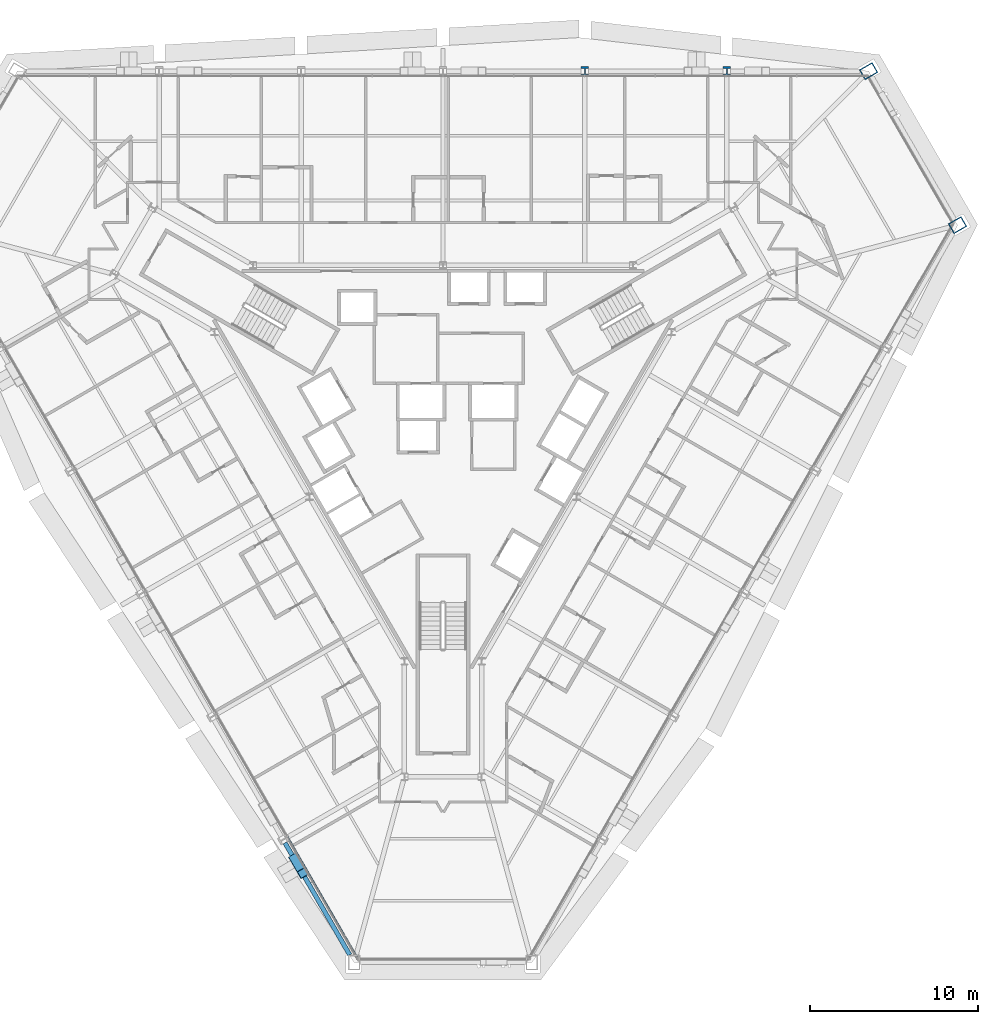
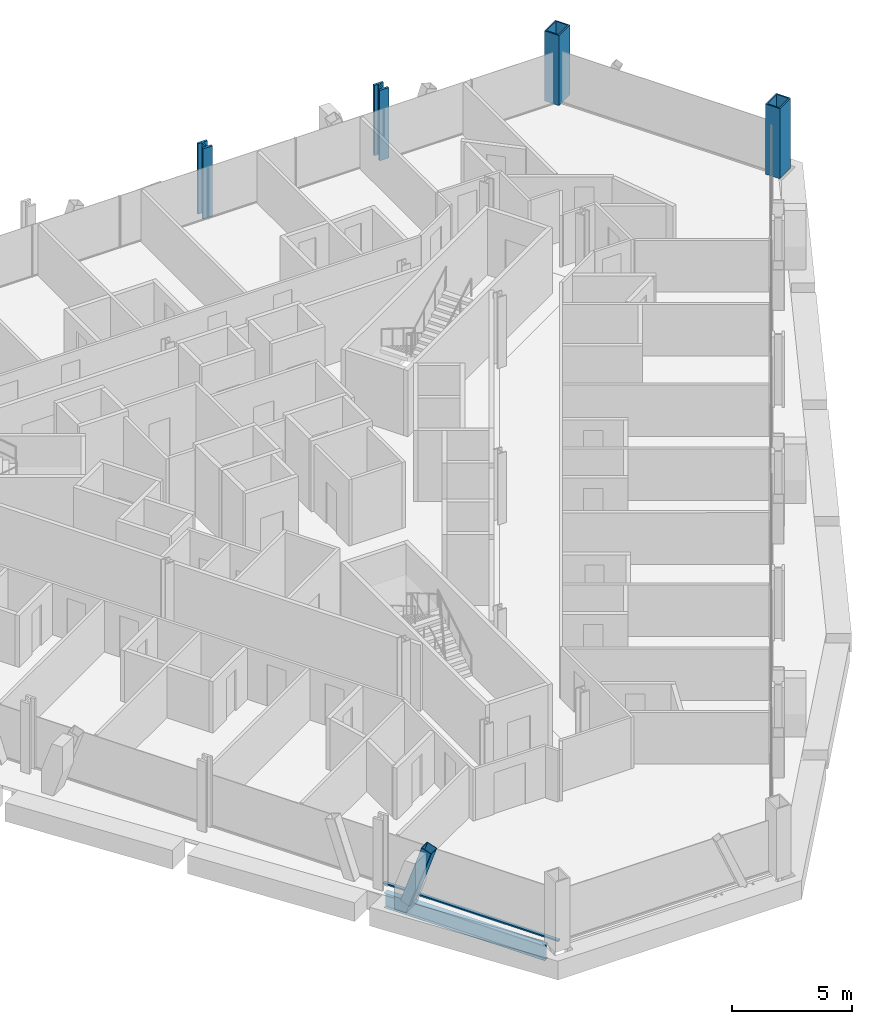
# One storey, part 2 of 17: 4 columns, 2 members, 1 beam, 1 element without a shape of its own.
"""IFC4 building model written with IfcOpenShell, lengths in metres."""

from ifc_helpers import new_model, si_unit, direction, frame, origin, origin_2d, place, context, subcontext, project, spatial, rectangle, hollow_rectangle, i_section, extrude, material, material_profile, profile_set, type_object, element, aggregate, save


model = new_model("IFC4")

# Units and contexts
model_context = context("Model", 3, precision=1e-05, world=origin(), true_north=direction((0.0, 1.0)))
body_context = subcontext(model_context, "Body", "Model", "MODEL_VIEW")
ifc_project = project(units=[si_unit("LENGTHUNIT", "METRE"), si_unit("AREAUNIT", "SQUARE_METRE"), si_unit("VOLUMEUNIT", "CUBIC_METRE"), si_unit("PLANEANGLEUNIT", "RADIAN"), si_unit("MASSUNIT", "GRAM", prefix="KILO")], contexts=[model_context])

# Site, building, storey
site_placement = place(None, origin())
site = spatial("IfcSite", under=ifc_project, at=site_placement, CompositionType="ELEMENT")
building_placement = place(site_placement, origin())
building = spatial("IfcBuilding", under=site, at=building_placement, Name="Verrane Prism Tower", CompositionType="ELEMENT")
storey_placement = place(building_placement, frame((0.0, 0.0, 40.39990234375)))
storey = spatial("IfcBuildingStorey", under=building, at=storey_placement, Name="L07", CompositionType="ELEMENT", Elevation=40.39990234375)

# Columns
ifc_material_1 = material(Name="Steel A572 Grade 50", Category="steel")
ifc_material_profile_1 = material_profile(ifc_material_1, hollow_rectangle(XDim=0.699951171875, YDim=0.89990234375, WallThickness=0.06494140625, at=origin_2d()), Name="BOX 900x700x65")
ifc_profile_set_1 = profile_set([ifc_material_profile_1], Name="Steel A572 Grade 50")
column_type_1 = type_object("IfcColumnType", Name="Megacolumn BOX 900x700x65", PredefinedType="COLUMN", material=ifc_profile_set_1)
for number, where, z_axis, x_axis, name in (
    (1, (25.3701171875, 20.77001953125, 0.0), (0.0, 0.0, 1.0), (0.5, -0.866025403784, 0.0), "Megacolumn MC-NE.b L07"),
    (2, (30.669921875, 11.590087890625, 0.0), (0.0, 0.0, 1.0), (0.5, -0.866025403784, 0.0), "Megacolumn MC-NE.a L07"),
):
    element("IfcColumn", number, at=place(storey_placement, frame(where, z_axis=z_axis, x_axis=x_axis)), inside=storey, type_object=column_type_1, Name=name, PredefinedType="COLUMN", context=body_context, shape_type="SweptSolid", body=[
        extrude(hollow_rectangle(XDim=0.699951171875, YDim=0.89990234375, WallThickness=0.06494140625, at=origin_2d()), origin(), (0.0, 0.0, 1.0), 3.56005859375),
    ])
ifc_material_2 = material(Name="Steel A992", Category="steel")
ifc_material_profile_2 = material_profile(ifc_material_2, i_section(OverallWidth=0.44189453125, OverallDepth=0.53076171875, WebThickness=0.06591796875, FlangeThickness=0.105712890625, FilletRadius=0.01513671875, at=origin_2d()), Name="W14x605")
ifc_profile_set_2 = profile_set([ifc_material_profile_2], Name="Steel A992")
column_type_2 = type_object("IfcColumnType", Name="Perimeter column W14x605", PredefinedType="COLUMN", material=ifc_profile_set_2)
for number, where, z_axis, x_axis, name in (
    (3, (16.919921875, 20.77001953125, 0.0), (0.0, 0.0, 1.0), (1.0, 0.0, 0.0), "Perimeter column PC-N1 L07"),
    (4, (8.4599609375, 20.77001953125, 0.0), (0.0, 0.0, 1.0), (1.0, 0.0, 0.0), "Perimeter column PC-N2 L07"),
):
    element("IfcColumn", number, at=place(storey_placement, frame(where, z_axis=z_axis, x_axis=x_axis)), inside=storey, type_object=column_type_2, Name=name, PredefinedType="COLUMN", context=body_context, shape_type="SweptSolid", body=[
        extrude(i_section(OverallWidth=0.44189453125, OverallDepth=0.53076171875, WebThickness=0.06591796875, FlangeThickness=0.105712890625, FilletRadius=0.01513671875, at=origin_2d()), origin(), (0.0, 0.0, 1.0), 3.5751953125),
    ])

# Member
ifc_material_3 = material(Name="Steel A1085 Grade A", Category="steel")
ifc_material_profile_3 = material_profile(ifc_material_3, hollow_rectangle(XDim=0.508056640625, YDim=0.508056640625, WallThickness=0.025390625, InnerFilletRadius=0.0126953125, OuterFilletRadius=0.0380859375, at=origin_2d()), Name="HSS20x20x1")
ifc_profile_set_3 = profile_set([ifc_material_profile_3], Name="Steel A1085 Grade A")
member_type_1 = type_object("IfcMemberType", Name="Facade brace HSS20x20x1", PredefinedType="BRACE", material=ifc_profile_set_3)
member_1_placement = place(storey_placement, frame((-8.8759765625, -26.171630859375, -0.242431640625), z_axis=(0.159127349956, -0.275394963971, 0.948069670602), x_axis=(0.865851100168, 0.500301781265, 0.0)))
element("IfcMember", 5, at=member_1_placement, inside=storey, type_object=member_type_1, Name="Facade brace SW5 L07", PredefinedType="BRACE", context=body_context, shape_type="SweptSolid", body=[
    extrude(hollow_rectangle(XDim=0.508056640625, YDim=0.508056640625, WallThickness=0.025390625, InnerFilletRadius=0.0126953125, OuterFilletRadius=0.0380859375, at=origin_2d()), origin(), (0.0, 0.0, 1.0), 3.1728515625),
])

# Beam
ifc_material_4 = material(Name="Steel A992", Category="steel")
ifc_material_profile_4 = material_profile(ifc_material_4, i_section(OverallWidth=0.2666015625, OverallDepth=0.7568359375, WebThickness=0.013916015625, FlangeThickness=0.019287109375, FilletRadius=0.0166015625, at=origin_2d()), Name="W30x108")
ifc_profile_set_4 = profile_set([ifc_material_profile_4], Name="Steel A992")
beam_type = type_object("IfcBeamType", Name="Spandrel beam W30x108", PredefinedType="SPANDREL", material=ifc_profile_set_4)
beam_placement = place(storey_placement, frame((-9.41943359375, -25.231201171875, -0.538330078125), z_axis=(0.500332437573, -0.865833385769, 0.0), x_axis=(0.865833385769, 0.500332437573, 0.0)))
element("IfcBeam", 6, at=beam_placement, inside=storey, type_object=beam_type, Name="Spandrel beam L07", PredefinedType="SPANDREL", context=body_context, shape_type="SweptSolid", body=[
    extrude(i_section(OverallWidth=0.2666015625, OverallDepth=0.7568359375, WebThickness=0.013916015625, FlangeThickness=0.019287109375, FilletRadius=0.0166015625, at=origin_2d()), origin(), (0.0, 0.0, 1.0), 7.713623046875),
])

# Curtain wall, member
ifc_material_5 = material(Name="Aluminium framed insulated glazing", Category="aluminium")
curtain_wall_type = type_object("IfcCurtainWallType", Name="Curtain wall CW-A 8400 module", PredefinedType="NOTDEFINED", material=ifc_material_5)
curtain_wall_placement = place(storey_placement, origin())
curtain_wall = element("IfcCurtainWall", 7, at=curtain_wall_placement, inside=storey, type_object=curtain_wall_type, Name="Glazed curtain wall south-west face L07", PredefinedType="NOTDEFINED")
ifc_material_6 = material(Name="Aluminium alloy 6063-T6", Category="aluminium")
ifc_material_profile_5 = material_profile(ifc_material_6, rectangle(XDim=0.14990234375, YDim=0.070068359375, at=origin_2d()), Name="Transom 70x150 aluminium")
ifc_profile_set_5 = profile_set([ifc_material_profile_5], Name="Aluminium alloy 6063-T6")
member_type_2 = type_object("IfcMemberType", Name="Transom 70x150 aluminium", PredefinedType="USERDEFINED", material=ifc_profile_set_5)
member_2_placement = place(storey_placement, frame((-9.29443359375, -24.8837890625, 0.03515625), z_axis=(0.500012661892, -0.866018093314, 0.0), x_axis=(0.866018093314, 0.500012661892, 0.0)))
member_2 = element("IfcMember", 8, at=member_2_placement, type_object=member_type_2, Name="CW06.4 transom 6", ObjectType="TRANSOM", PredefinedType="USERDEFINED", context=body_context, shape_type="SweptSolid", body=[
    extrude(rectangle(XDim=0.14990234375, YDim=0.070068359375, at=origin_2d()), origin(), (0.0, 0.0, 1.0), 8.398681640625),
])
aggregate(curtain_wall, [member_2])

save(model, "model.ifc")
